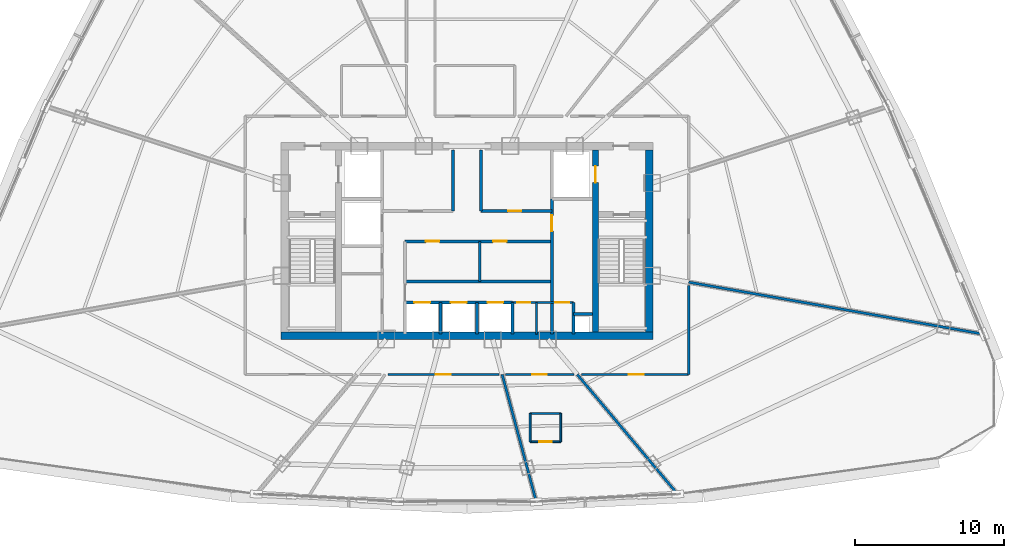
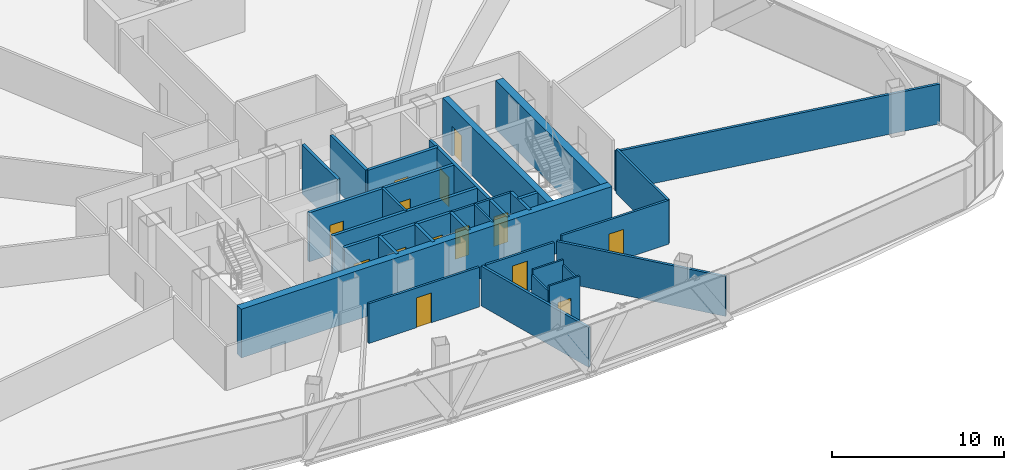
# One storey, part 31 of 37: 29 walls, 14 doors, 14 openings.
"""IFC4 building model written with IfcOpenShell, lengths in metres."""

from ifc_helpers import new_model, si_unit, direction, frame, frame_2d, origin, origin_with_axes, place, context, subcontext, project, spatial, rectangle, extrude, source, transform, mapped, material, layer, layer_set, type_object, element, fill, save


model = new_model("IFC4")

# Units and contexts
model_context = context("Model", 3, precision=1e-05, world=origin(), true_north=direction((0.0, 1.0)))
body_context = subcontext(model_context, "Body", "Model", "MODEL_VIEW")
ifc_project = project(units=[si_unit("LENGTHUNIT", "METRE"), si_unit("AREAUNIT", "SQUARE_METRE"), si_unit("VOLUMEUNIT", "CUBIC_METRE"), si_unit("PLANEANGLEUNIT", "RADIAN"), si_unit("MASSUNIT", "GRAM", prefix="KILO"), si_unit("THERMODYNAMICTEMPERATUREUNIT", "KELVIN"), si_unit("POWERUNIT", "WATT")], contexts=[model_context])

# Site, building, storey
site_placement = place(None, origin())
site = spatial("IfcSite", under=ifc_project, at=site_placement, CompositionType="ELEMENT")
building_placement = place(site_placement, origin())
building = spatial("IfcBuilding", under=site, at=building_placement, Name="Yunzhuo Pagoda Commons", CompositionType="ELEMENT")
storey_placement = place(building_placement, frame((0.0, 0.0, 240.800048828125)))
storey = spatial("IfcBuildingStorey", under=building, at=storey_placement, Name="L60", CompositionType="ELEMENT", Elevation=240.800048828125)

# Walls
ifc_material_1 = material(Name="Concrete C50", Category="concrete")
ifc_layer_1 = layer(ifc_material_1, 0.5)
ifc_layer_set_1 = layer_set([ifc_layer_1], Name="Concrete C50")
wall_type_1 = type_object("IfcWallType", Name="W-C03 Upper Core Shear Wall 500", PredefinedType="SHEAR", material=ifc_layer_set_1)
wall_1_placement = place(storey_placement, frame((35.550048828125, 27.5, 0.0), z_axis=(0.0, 0.0, 1.0), x_axis=(1.0, 0.0, 0.0)))
element("IfcWall", 1, at=wall_1_placement, inside=storey, type_object=wall_type_1, Name="L60 core shear wall S", PredefinedType="SHEAR", context=body_context, shape_type="SweptSolid", body=[
    extrude(rectangle(XDim=24.89990234375, YDim=0.5, at=frame_2d((12.449951171875, 0.0))), origin(), (0.0, 0.0, 1.0), 3.469970703125),
])
wall_2_placement = place(storey_placement, frame((60.199951171875, 27.75, 0.0), z_axis=(0.0, 0.0, 1.0), x_axis=(0.0, 1.0, 0.0)))
element("IfcWall", 2, at=wall_2_placement, inside=storey, type_object=wall_type_1, Name="L60 core shear wall E", PredefinedType="SHEAR", context=body_context, shape_type="SweptSolid", body=[
    extrude(rectangle(XDim=12.199951171875, YDim=0.5, at=frame_2d((6.10009765625, 0.0))), origin(), (0.0, 0.0, 1.0), 3.469970703125),
])
ifc_material_2 = material(Name="Gypsum plasterboard on acoustic stud")
ifc_layer_2 = layer(ifc_material_2, 0.14990234375)
ifc_layer_set_2 = layer_set([ifc_layer_2], Name="Gypsum plasterboard on acoustic stud")
wall_type_2 = type_object("IfcWallType", Name="W-COR3 High-Zone Rated Corridor Wall 150", PredefinedType="PARTITIONING", material=ifc_layer_set_2)
wall_3_placement = place(storey_placement, frame((48.85009765625, 31.1201171875, 0.0), z_axis=(0.0, 0.0, 1.0), x_axis=(0.0, 1.0, 0.0)))
element("IfcWall", 3, at=wall_3_placement, inside=storey, type_object=wall_type_2, Name="L60 interior wall IW-L60-FRMD", PredefinedType="PARTITIONING", context=body_context, shape_type="SweptSolid", body=[
    extrude(rectangle(XDim=2.699951171875, YDim=0.14990234375, at=frame_2d((1.35009765625, 0.0))), origin(), (0.0, 0.0, 1.0), 3.469970703125),
])

# Wall, openings, doors
wall_4_placement = place(storey_placement, frame((51.050048828125, 29.719970703125, 0.0), z_axis=(0.0, 0.0, 1.0), x_axis=(1.0, 0.0, 0.0)))
wall_4 = element("IfcWall", 4, at=wall_4_placement, inside=storey, type_object=wall_type_2, Name="L60 interior wall IW-L60-CSES", PredefinedType="PARTITIONING", context=body_context, shape_type="SweptSolid", body=[
    extrude(rectangle(XDim=4.070068359375, YDim=0.14990234375, at=frame_2d((2.03515625, 0.0))), origin(), (0.0, 0.0, 1.0), 3.469970703125),
])
opening_1_placement = place(wall_4_placement, frame((0.300048828125, 0.0, 0.0)))
opening_1 = element("IfcOpeningElement", 5, at=opening_1_placement, cuts=wall_4, Name="Opening D-03", PredefinedType="OPENING", context=body_context, shape_type="SweptSolid", body=[
    extrude(rectangle(XDim=0.89990234375, YDim=2.10009765625, at=frame_2d((0.449951171875, 1.050048828125))), frame((0.0, 0.0849609375, 0.0), z_axis=(0.0, -1.0, 0.0), x_axis=(1.0, 0.0, 0.0)), (0.0, 0.0, 1.0), 0.169921875),
])
opening_2_placement = place(wall_4_placement, frame((2.860107421875, 0.0, 0.0)))
opening_2 = element("IfcOpeningElement", 6, at=opening_2_placement, cuts=wall_4, Name="Opening D-11", PredefinedType="OPENING", context=body_context, shape_type="SweptSolid", body=[
    extrude(rectangle(XDim=0.93994140625, YDim=2.10009765625, at=frame_2d((0.469970703125, 1.050048828125))), frame((0.0, 0.0849609375, 0.0), z_axis=(0.0, -1.0, 0.0), x_axis=(1.0, 0.0, 0.0)), (0.0, 0.0, 1.0), 0.169921875),
])
ifc_material_3 = material(Name="Galvanized fire-resisting metal leaf")
door_type_1 = type_object("IfcDoorType", Name="D-03 Core Service Fire Door 900x2100", OperationType="NOTDEFINED", PredefinedType="DOOR", material=ifc_material_3)
shared_shape_1 = source(origin(), body_context, "Body", "SweptSolid", [
    extrude(rectangle(XDim=0.89990234375, YDim=2.10009765625, at=frame_2d((0.449951171875, 1.050048828125))), frame((0.0, 0.02490234375, 0.0), z_axis=(0.0, -1.0, 0.0), x_axis=(1.0, 0.0, 0.0)), (0.0, 0.0, 1.0), 0.050048828125),
])
door_1_placement = place(opening_1_placement, origin_with_axes())
door_1 = element("IfcDoor", 7, at=door_1_placement, inside=storey, type_object=door_type_1, Name="L60 cleaner door", OperationType="SINGLE_SWING_LEFT", OverallHeight=2.10009765625, OverallWidth=0.89990234375, PredefinedType="DOOR", context=body_context, shape_type="MappedRepresentation", body=[
    mapped(shared_shape_1, transform((0.0, 0.0, 0.0), scale=1.0)),
])
fill(opening_1, door_1)
door_type_2 = type_object("IfcDoorType", Name="D-11 Accessible Washroom Fire Door 940x2100", OperationType="NOTDEFINED", PredefinedType="DOOR", material=ifc_material_3)
shared_shape_2 = source(origin(), body_context, "Body", "SweptSolid", [
    extrude(rectangle(XDim=0.93994140625, YDim=2.10009765625, at=frame_2d((0.469970703125, 1.050048828125))), frame((0.0, 0.02490234375, 0.0), z_axis=(0.0, -1.0, 0.0), x_axis=(1.0, 0.0, 0.0)), (0.0, 0.0, 1.0), 0.050048828125),
])
door_2_placement = place(opening_2_placement, origin_with_axes())
door_2 = element("IfcDoor", 8, at=door_2_placement, inside=storey, type_object=door_type_2, Name="L60 core WC door", OperationType="SINGLE_SWING_RIGHT", OverallHeight=2.10009765625, OverallWidth=0.93994140625, PredefinedType="DOOR", context=body_context, shape_type="MappedRepresentation", body=[
    mapped(shared_shape_2, transform((0.0, 0.0, 0.0), scale=1.0)),
])
fill(opening_2, door_2)

# Wall
wall_5_placement = place(storey_placement, frame((62.85009765625, 30.858154296875, 0.0), z_axis=(0.0, 0.0, 1.0), x_axis=(0.0, -1.0, 0.0)))
element("IfcWall", 9, at=wall_5_placement, inside=storey, type_object=wall_type_2, Name="L60 interior wall IW-L60-CWL13", PredefinedType="PARTITIONING", context=body_context, shape_type="SweptSolid", body=[
    extrude(rectangle(XDim=5.958251953125, YDim=0.14990234375, at=frame_2d((2.97900390625, 0.0))), origin(), (0.0, 0.0, 1.0), 3.119873046875),
])

# Wall, opening, door
wall_6_placement = place(storey_placement, frame((62.85009765625, 24.89990234375, 0.0), z_axis=(0.0, 0.0, 1.0), x_axis=(-1.0, 0.0, 0.0)))
wall_6 = element("IfcWall", 10, at=wall_6_placement, inside=storey, type_object=wall_type_2, Name="L60 interior wall IW-L60-CWL14", PredefinedType="PARTITIONING", context=body_context, shape_type="SweptSolid", body=[
    extrude(rectangle(XDim=7.1787109375, YDim=0.14990234375, at=frame_2d((3.58935546875, 0.0))), origin(), (0.0, 0.0, 1.0), 3.119873046875),
])
opening_3_placement = place(wall_6_placement, frame((3.028076171875, 0.0, 0.0)))
opening_3 = element("IfcOpeningElement", 11, at=opening_3_placement, cuts=wall_6, Name="Opening D-08", PredefinedType="OPENING", context=body_context, shape_type="SweptSolid", body=[
    extrude(rectangle(XDim=0.97998046875, YDim=2.1201171875, at=frame_2d((0.489990234375, 1.06005859375))), frame((0.0, 0.0849609375, 0.0), z_axis=(0.0, -1.0, 0.0), x_axis=(1.0, 0.0, 0.0)), (0.0, 0.0, 1.0), 0.169921875),
])
door_type_3 = type_object("IfcDoorType", Name="D-08 High-Zone Suite Entrance Fire Door 980x2120", OperationType="NOTDEFINED", PredefinedType="DOOR", material=ifc_material_3)
shared_shape_3 = source(origin(), body_context, "Body", "SweptSolid", [
    extrude(rectangle(XDim=0.97998046875, YDim=2.1201171875, at=frame_2d((0.489990234375, 1.06005859375))), frame((0.0, 0.02490234375, 0.0), z_axis=(0.0, -1.0, 0.0), x_axis=(1.0, 0.0, 0.0)), (0.0, 0.0, 1.0), 0.050048828125),
])
door_3_placement = place(opening_3_placement, origin_with_axes())
door_3 = element("IfcDoor", 12, at=door_3_placement, inside=storey, type_object=door_type_3, Name="L60 unit 12 entrance door", OperationType="SINGLE_SWING_LEFT", OverallHeight=2.1201171875, OverallWidth=0.97998046875, PredefinedType="DOOR", context=body_context, shape_type="MappedRepresentation", body=[
    mapped(shared_shape_3, transform((0.0, 0.0, 0.0), scale=1.0)),
])
fill(opening_3, door_3)

wall_7_placement = place(storey_placement, frame((55.164306640625, 24.89990234375, 0.0), z_axis=(0.0, 0.0, 1.0), x_axis=(-1.0, 0.0, 0.0)))
wall_7 = element("IfcWall", 13, at=wall_7_placement, inside=storey, type_object=wall_type_2, Name="L60 interior wall IW-L60-CWL15", PredefinedType="PARTITIONING", context=body_context, shape_type="SweptSolid", body=[
    extrude(rectangle(XDim=4.57861328125, YDim=0.14990234375, at=frame_2d((2.289306640625, 0.0))), origin(), (0.0, 0.0, 1.0), 2.820068359375),
])
opening_4_placement = place(wall_7_placement, frame((1.818115234375, 0.0, 0.0)))
opening_4 = element("IfcOpeningElement", 14, at=opening_4_placement, cuts=wall_7, Name="Opening D-08", PredefinedType="OPENING", context=body_context, shape_type="SweptSolid", body=[
    extrude(rectangle(XDim=0.97998046875, YDim=2.1201171875, at=frame_2d((0.489990234375, 1.06005859375))), frame((0.0, 0.0849609375, 0.0), z_axis=(0.0, -1.0, 0.0), x_axis=(1.0, 0.0, 0.0)), (0.0, 0.0, 1.0), 0.169921875),
])
door_4_placement = place(opening_4_placement, origin_with_axes())
door_4 = element("IfcDoor", 15, at=door_4_placement, inside=storey, type_object=door_type_3, Name="L60 unit 11 entrance door", OperationType="SINGLE_SWING_RIGHT", OverallHeight=2.1201171875, OverallWidth=0.97998046875, PredefinedType="DOOR", context=body_context, shape_type="MappedRepresentation", body=[
    mapped(shared_shape_3, transform((0.0, 0.0, 0.0), scale=1.0)),
])
fill(opening_4, door_4)

wall_8_placement = place(storey_placement, frame((50.13818359375, 24.89990234375, 0.0), z_axis=(0.0, 0.0, 1.0), x_axis=(-1.0, 0.0, 0.0)))
wall_8 = element("IfcWall", 16, at=wall_8_placement, inside=storey, type_object=wall_type_2, Name="L60 interior wall IW-L60-CWL16", PredefinedType="PARTITIONING", context=body_context, shape_type="SweptSolid", body=[
    extrude(rectangle(XDim=7.417236328125, YDim=0.14990234375, at=frame_2d((3.70849609375, 0.0))), origin(), (0.0, 0.0, 1.0), 2.820068359375),
])
opening_5_placement = place(wall_8_placement, frame((3.233642578125, 0.0, 0.0)))
opening_5 = element("IfcOpeningElement", 17, at=opening_5_placement, cuts=wall_8, Name="Opening D-08", PredefinedType="OPENING", context=body_context, shape_type="SweptSolid", body=[
    extrude(rectangle(XDim=0.97998046875, YDim=2.1201171875, at=frame_2d((0.489990234375, 1.06005859375))), frame((0.0, 0.0849609375, 0.0), z_axis=(0.0, -1.0, 0.0), x_axis=(1.0, 0.0, 0.0)), (0.0, 0.0, 1.0), 0.169921875),
])
door_5_placement = place(opening_5_placement, origin_with_axes())
door_5 = element("IfcDoor", 18, at=door_5_placement, inside=storey, type_object=door_type_3, Name="L60 Resident Co-Living Commons Hall door", OperationType="SINGLE_SWING_LEFT", OverallHeight=2.1201171875, OverallWidth=0.97998046875, PredefinedType="DOOR", context=body_context, shape_type="MappedRepresentation", body=[
    mapped(shared_shape_3, transform((0.0, 0.0, 0.0), scale=1.0)),
])
fill(opening_5, door_5)

# Wall
ifc_layer_3 = layer(ifc_material_2, 0.1201171875)
ifc_layer_set_3 = layer_set([ifc_layer_3], Name="Gypsum plasterboard on acoustic stud")
wall_type_3 = type_object("IfcWallType", Name="W-PRT1 Suite & Bathroom Partition 120", PredefinedType="PARTITIONING", material=ifc_layer_set_3)
wall_9_placement = place(storey_placement, frame((52.64990234375, 27.60009765625, 0.0), z_axis=(0.0, 0.0, 1.0), x_axis=(0.0, 1.0, 0.0)))
element("IfcWall", 19, at=wall_9_placement, inside=storey, type_object=wall_type_3, Name="L60 interior wall IW-L60-CD2", PredefinedType="PARTITIONING", context=body_context, shape_type="SweptSolid", body=[
    extrude(rectangle(XDim=2.119873046875, YDim=0.1201171875, at=frame_2d((1.06005859375, 0.0))), origin(), (0.0, 0.0, 1.0), 3.469970703125),
])

# Wall, opening, door
wall_10_placement = place(storey_placement, frame((52.22900390625, 20.389892578125, 0.0), z_axis=(0.0, 0.0, 1.0), x_axis=(1.0, 0.0, 0.0)))
wall_10 = element("IfcWall", 20, at=wall_10_placement, inside=storey, type_object=wall_type_3, Name="L60 interior wall IW-L60-B11S", PredefinedType="PARTITIONING", context=body_context, shape_type="SweptSolid", body=[
    extrude(rectangle(XDim=2.050048828125, YDim=0.1201171875, at=frame_2d((1.02490234375, 0.0))), origin(), (0.0, 0.0, 1.0), 3.469970703125),
])
opening_6_placement = place(wall_10_placement, frame((0.60009765625, 0.0, 0.0)))
opening_6 = element("IfcOpeningElement", 21, at=opening_6_placement, cuts=wall_10, Name="Opening D-05", PredefinedType="OPENING", context=body_context, shape_type="SweptSolid", body=[
    extrude(rectangle(XDim=0.85009765625, YDim=2.10009765625, at=frame_2d((0.425048828125, 1.050048828125))), frame((0.0, 0.070068359375, 0.0), z_axis=(0.0, -1.0, 0.0), x_axis=(1.0, 0.0, 0.0)), (0.0, 0.0, 1.0), 0.14013671875),
])
ifc_material_4 = material(Name="Powder-coated aluminium and timber acoustic leaf", Category="wood")
door_type_4 = type_object("IfcDoorType", Name="D-05 En-Suite Bathroom Door 850x2100", OperationType="NOTDEFINED", PredefinedType="DOOR", material=ifc_material_4)
shared_shape_4 = source(origin(), body_context, "Body", "SweptSolid", [
    extrude(rectangle(XDim=0.85009765625, YDim=2.10009765625, at=frame_2d((0.425048828125, 1.050048828125))), frame((0.0, 0.02490234375, 0.0), z_axis=(0.0, -1.0, 0.0), x_axis=(1.0, 0.0, 0.0)), (0.0, 0.0, 1.0), 0.050048828125),
])
door_6_placement = place(opening_6_placement, frame((0.85009765625, 0.0, 0.0), z_axis=(0.0, 0.0, 1.0), x_axis=(-1.0, 0.0, 0.0)))
door_6 = element("IfcDoor", 22, at=door_6_placement, inside=storey, type_object=door_type_4, Name="L60 unit 11 bathroom door", OperationType="SINGLE_SWING_RIGHT", OverallHeight=2.10009765625, OverallWidth=0.85009765625, PredefinedType="DOOR", context=body_context, shape_type="MappedRepresentation", body=[
    mapped(shared_shape_4, transform((0.0, 0.0, 0.0), scale=1.0)),
])
fill(opening_6, door_6)

# Walls
wall_11_placement = place(storey_placement, frame((54.279052734375, 20.389892578125, 0.0), z_axis=(0.0, 0.0, 1.0), x_axis=(0.0, 1.0, 0.0)))
element("IfcWall", 23, at=wall_11_placement, inside=storey, type_object=wall_type_3, Name="L60 interior wall IW-L60-B11E", PredefinedType="PARTITIONING", context=body_context, shape_type="SweptSolid", body=[
    extrude(rectangle(XDim=1.900146484375, YDim=0.1201171875, at=frame_2d((0.9501953125, 0.0))), origin(), (0.0, 0.0, 1.0), 3.119873046875),
])
wall_12_placement = place(storey_placement, frame((54.279052734375, 22.2900390625, 0.0), z_axis=(0.0, 0.0, 1.0), x_axis=(-1.0, 0.0, 0.0)))
element("IfcWall", 24, at=wall_12_placement, inside=storey, type_object=wall_type_3, Name="L60 interior wall IW-L60-B11N", PredefinedType="PARTITIONING", context=body_context, shape_type="SweptSolid", body=[
    extrude(rectangle(XDim=2.050048828125, YDim=0.1201171875, at=frame_2d((1.02490234375, 0.0))), origin(), (0.0, 0.0, 1.0), 3.469970703125),
])
wall_13_placement = place(storey_placement, frame((52.22900390625, 22.2900390625, 0.0), z_axis=(0.0, 0.0, 1.0), x_axis=(0.0, -1.0, 0.0)))
element("IfcWall", 25, at=wall_13_placement, inside=storey, type_object=wall_type_3, Name="L60 interior wall IW-L60-B11W", PredefinedType="PARTITIONING", context=body_context, shape_type="SweptSolid", body=[
    extrude(rectangle(XDim=1.900146484375, YDim=0.1201171875, at=frame_2d((0.9501953125, 0.0))), origin(), (0.0, 0.0, 1.0), 3.119873046875),
])
ifc_layer_4 = layer(ifc_material_2, 0.169921875)
ifc_layer_set_4 = layer_set([ifc_layer_4], Name="Gypsum plasterboard on acoustic stud")
wall_type_4 = type_object("IfcWallType", Name="W-PRT4 High-Zone Demising Wall 170", PredefinedType="PARTITIONING", material=ifc_layer_set_4)
wall_14_placement = place(storey_placement, frame((50.35791015625, 24.89990234375, 0.0), z_axis=(0.0, 0.0, 1.0), x_axis=(0.258813459388, -0.965927322959, 0.0)))
element("IfcWall", 26, at=wall_14_placement, inside=storey, type_object=wall_type_4, Name="L60 interior wall IW-L60-RAD10", PredefinedType="PARTITIONING", context=body_context, shape_type="SweptSolid", body=[
    extrude(rectangle(XDim=8.832275390625, YDim=0.169921875, at=frame_2d((4.416015625, 0.0))), origin(), (0.0, 0.0, 1.0), 2.820068359375),
])
wall_15_placement = place(storey_placement, frame((55.384033203125, 24.89990234375, 0.0), z_axis=(0.0, 0.0, 1.0), x_axis=(0.642788120563, -0.766044014443, 0.0)))
element("IfcWall", 27, at=wall_15_placement, inside=storey, type_object=wall_type_4, Name="L60 interior wall IW-L60-RAD11", PredefinedType="PARTITIONING", context=body_context, shape_type="SweptSolid", body=[
    extrude(rectangle(XDim=10.46240234375, YDim=0.169921875, at=frame_2d((5.231201171875, 0.0))), origin(), (0.0, 0.0, 1.0), 2.820068359375),
])
wall_16_placement = place(storey_placement, frame((62.85009765625, 31.08154296875, 0.0), z_axis=(0.0, 0.0, 1.0), x_axis=(0.984808421785, -0.173644384824, 0.0)))
element("IfcWall", 28, at=wall_16_placement, inside=storey, type_object=wall_type_4, Name="L60 interior wall IW-L60-RAD12", PredefinedType="PARTITIONING", context=body_context, shape_type="SweptSolid", body=[
    extrude(rectangle(XDim=20.05908203125, YDim=0.169921875, at=frame_2d((10.029541015625, 0.0))), origin(), (0.0, 0.0, 1.0), 2.820068359375),
])

# Wall, opening, door
ifc_material_5 = material(Name="Concrete C60", Category="concrete")
ifc_layer_5 = layer(ifc_material_5, 0.39990234375)
ifc_layer_set_5 = layer_set([ifc_layer_5], Name="Concrete C60")
wall_type_5 = type_object("IfcWallType", Name="W-S01 Internal Core Shear Web 400", PredefinedType="SHEAR", material=ifc_layer_set_5)
wall_17_placement = place(storey_placement, frame((56.60009765625, 27.75, 0.0), z_axis=(0.0, 0.0, 1.0), x_axis=(0.0, 1.0, 0.0)))
wall_17 = element("IfcWall", 29, at=wall_17_placement, inside=storey, type_object=wall_type_5, Name="L60 core shear wall WEBE", PredefinedType="SHEAR", context=body_context, shape_type="SweptSolid", body=[
    extrude(rectangle(XDim=12.199951171875, YDim=0.39990234375, at=frame_2d((6.10009765625, 0.0))), origin(), (0.0, 0.0, 1.0), 3.469970703125),
])
opening_7_placement = place(wall_17_placement, frame((10.0, 0.0, 0.0)))
opening_7 = element("IfcOpeningElement", 30, at=opening_7_placement, cuts=wall_17, Name="Opening LD-01", PredefinedType="OPENING", context=body_context, shape_type="SweptSolid", body=[
    extrude(rectangle(XDim=1.10009765625, YDim=2.10009765625, at=frame_2d((0.550048828125, 1.050048828125))), frame((0.0, 0.2099609375, 0.0), z_axis=(0.0, -1.0, 0.0), x_axis=(1.0, 0.0, 0.0)), (0.0, 0.0, 1.0), 0.419921875),
])
door_type_5 = type_object("IfcDoorType", Name="LD-01 Firefighting Lift Landing Door 1100x2100", OperationType="DOUBLE_DOOR_SLIDING", PredefinedType="DOOR", material=ifc_material_3)
shared_shape_5 = source(origin(), body_context, "Body", "SweptSolid", [
    extrude(rectangle(XDim=1.10009765625, YDim=2.10009765625, at=frame_2d((0.550048828125, 1.050048828125))), frame((0.0, 0.02490234375, 0.0), z_axis=(0.0, -1.0, 0.0), x_axis=(1.0, 0.0, 0.0)), (0.0, 0.0, 1.0), 0.050048828125),
])
door_7_placement = place(opening_7_placement, origin_with_axes())
door_7 = element("IfcDoor", 31, at=door_7_placement, inside=storey, type_object=door_type_5, Name="L60 Firefighting lift FL-2 landing door", OperationType="DOUBLE_DOOR_SLIDING", OverallHeight=2.10009765625, OverallWidth=1.10009765625, PredefinedType="DOOR", context=body_context, shape_type="MappedRepresentation", body=[
    mapped(shared_shape_5, transform((0.0, 0.0, 0.0), scale=1.0)),
])
fill(opening_7, door_7)

ifc_material_6 = material(Name="Concrete C40", Category="concrete")
ifc_layer_6 = layer(ifc_material_6, 0.199951171875)
ifc_layer_set_6 = layer_set([ifc_layer_6], Name="Concrete C40")
wall_type_6 = type_object("IfcWallType", Name="W-SHF Shaft & Stair Enclosure Wall 200", PredefinedType="SOLIDWALL", material=ifc_layer_set_6)
wall_18_placement = place(storey_placement, frame((48.949951171875, 35.85009765625, 0.0), z_axis=(0.0, 0.0, 1.0), x_axis=(1.0, 0.0, 0.0)))
wall_18 = element("IfcWall", 32, at=wall_18_placement, inside=storey, type_object=wall_type_6, Name="L60 interior wall IW-L60-LBNE", PredefinedType="SOLIDWALL", context=body_context, shape_type="SweptSolid", body=[
    extrude(rectangle(XDim=4.72998046875, YDim=0.199951171875, at=frame_2d((2.364990234375, 0.0))), origin(), (0.0, 0.0, 1.0), 3.469970703125),
])
opening_8_placement = place(wall_18_placement, frame((1.800048828125, 0.0, 0.0)))
opening_8 = element("IfcOpeningElement", 33, at=opening_8_placement, cuts=wall_18, Name="Opening D-03", PredefinedType="OPENING", context=body_context, shape_type="SweptSolid", body=[
    extrude(rectangle(XDim=0.89990234375, YDim=2.10009765625, at=frame_2d((0.449951171875, 1.050048828125))), frame((0.0, 0.10986328125, 0.0), z_axis=(0.0, -1.0, 0.0), x_axis=(1.0, 0.0, 0.0)), (0.0, 0.0, 1.0), 0.219970703125),
])
door_8_placement = place(opening_8_placement, frame((0.89990234375, 0.0, 0.0), z_axis=(0.0, 0.0, 1.0), x_axis=(-1.0, 0.0, 0.0)))
door_8 = element("IfcDoor", 34, at=door_8_placement, inside=storey, type_object=door_type_1, Name="L60 core east store door", OperationType="SINGLE_SWING_RIGHT", OverallHeight=2.10009765625, OverallWidth=0.89990234375, PredefinedType="DOOR", context=body_context, shape_type="MappedRepresentation", body=[
    mapped(shared_shape_1, transform((0.0, 0.0, 0.0), scale=1.0)),
])
fill(opening_8, door_8)

# Walls
for number, where, z_axis, x_axis, name in (
    (35, (47.050048828125, 35.85009765625, 0.0), (0.0, 0.0, 1.0), (0.0, 1.0, 0.0), "L60 interior wall IW-L60-THRW"),
    (36, (48.949951171875, 35.85009765625, 0.0), (0.0, 0.0, 1.0), (0.0, 1.0, 0.0), "L60 interior wall IW-L60-THRE"),
):
    element("IfcWall", number, at=place(storey_placement, frame(where, z_axis=z_axis, x_axis=x_axis)), inside=storey, type_object=wall_type_6, Name=name, PredefinedType="SOLIDWALL", context=body_context, shape_type="SweptSolid", body=[
        extrude(rectangle(XDim=4.099853515625, YDim=0.199951171875, at=frame_2d((2.0498046875, 0.0))), origin(), (0.0, 0.0, 1.0), 3.469970703125),
    ])

# Wall, openings, doors
wall_19_placement = place(storey_placement, frame((43.85009765625, 33.820068359375, 0.0), z_axis=(0.0, 0.0, 1.0), x_axis=(1.0, 0.0, 0.0)))
wall_19 = element("IfcWall", 37, at=wall_19_placement, inside=storey, type_object=wall_type_6, Name="L60 interior wall IW-L60-MLBS", PredefinedType="SOLIDWALL", context=body_context, shape_type="SweptSolid", body=[
    extrude(rectangle(XDim=9.829833984375, YDim=0.199951171875, at=frame_2d((4.9150390625, 0.0))), origin(), (0.0, 0.0, 1.0), 3.469970703125),
])
opening_9_placement = place(wall_19_placement, frame((1.39990234375, 0.0, 0.0)))
opening_9 = element("IfcOpeningElement", 38, at=opening_9_placement, cuts=wall_19, Name="Opening D-03", PredefinedType="OPENING", context=body_context, shape_type="SweptSolid", body=[
    extrude(rectangle(XDim=0.89990234375, YDim=2.10009765625, at=frame_2d((0.449951171875, 1.050048828125))), frame((0.0, 0.10986328125, 0.0), z_axis=(0.0, -1.0, 0.0), x_axis=(1.0, 0.0, 0.0)), (0.0, 0.0, 1.0), 0.219970703125),
])
opening_10_placement = place(wall_19_placement, frame((5.89990234375, 0.0, 0.0)))
opening_10 = element("IfcOpeningElement", 39, at=opening_10_placement, cuts=wall_19, Name="Opening D-03", PredefinedType="OPENING", context=body_context, shape_type="SweptSolid", body=[
    extrude(rectangle(XDim=0.89990234375, YDim=2.10009765625, at=frame_2d((0.449951171875, 1.050048828125))), frame((0.0, 0.10986328125, 0.0), z_axis=(0.0, -1.0, 0.0), x_axis=(1.0, 0.0, 0.0)), (0.0, 0.0, 1.0), 0.219970703125),
])
door_9_placement = place(opening_9_placement, origin_with_axes())
door_9 = element("IfcDoor", 40, at=door_9_placement, inside=storey, type_object=door_type_1, Name="L60 core mid-west store door", OperationType="SINGLE_SWING_LEFT", OverallHeight=2.10009765625, OverallWidth=0.89990234375, PredefinedType="DOOR", context=body_context, shape_type="MappedRepresentation", body=[
    mapped(shared_shape_1, transform((0.0, 0.0, 0.0), scale=1.0)),
])
fill(opening_9, door_9)
door_10_placement = place(opening_10_placement, origin_with_axes())
door_10 = element("IfcDoor", 41, at=door_10_placement, inside=storey, type_object=door_type_1, Name="L60 core mid-east store door", OperationType="SINGLE_SWING_RIGHT", OverallHeight=2.10009765625, OverallWidth=0.89990234375, PredefinedType="DOOR", context=body_context, shape_type="MappedRepresentation", body=[
    mapped(shared_shape_1, transform((0.0, 0.0, 0.0), scale=1.0)),
])
fill(opening_10, door_10)

# Wall, opening, door
wall_20_placement = place(storey_placement, frame((53.679931640625, 27.60009765625, 0.0), z_axis=(0.0, 0.0, 1.0), x_axis=(0.0, 1.0, 0.0)))
wall_20 = element("IfcWall", 42, at=wall_20_placement, inside=storey, type_object=wall_type_6, Name="L60 interior wall IW-L60-PLME", PredefinedType="SOLIDWALL", context=body_context, shape_type="SweptSolid", body=[
    extrude(rectangle(XDim=9.0498046875, YDim=0.199951171875, at=frame_2d((4.52490234375, 0.0))), origin(), (0.0, 0.0, 1.0), 3.469970703125),
])
opening_11_placement = place(wall_20_placement, frame((6.89990234375, 0.0, 0.0)))
opening_11 = element("IfcOpeningElement", 43, at=opening_11_placement, cuts=wall_20, Name="Opening D-02", PredefinedType="OPENING", context=body_context, shape_type="SweptSolid", body=[
    extrude(rectangle(XDim=1.050048828125, YDim=2.10009765625, at=frame_2d((0.52490234375, 1.050048828125))), frame((0.0, 0.10986328125, 0.0), z_axis=(0.0, -1.0, 0.0), x_axis=(1.0, 0.0, 0.0)), (0.0, 0.0, 1.0), 0.219970703125),
])
door_type_6 = type_object("IfcDoorType", Name="D-02 Firefighting Lobby & Refuge Fire Door 1050x2100", OperationType="NOTDEFINED", PredefinedType="DOOR", material=ifc_material_3)
shared_shape_6 = source(origin(), body_context, "Body", "SweptSolid", [
    extrude(rectangle(XDim=1.050048828125, YDim=2.10009765625, at=frame_2d((0.52490234375, 1.050048828125))), frame((0.0, 0.02490234375, 0.0), z_axis=(0.0, -1.0, 0.0), x_axis=(1.0, 0.0, 0.0)), (0.0, 0.0, 1.0), 0.050048828125),
])
door_11_placement = place(opening_11_placement, origin_with_axes())
door_11 = element("IfcDoor", 44, at=door_11_placement, inside=storey, type_object=door_type_6, Name="L60 High-bank lift hall door", OperationType="SINGLE_SWING_RIGHT", OverallHeight=2.10009765625, OverallWidth=1.050048828125, PredefinedType="DOOR", context=body_context, shape_type="MappedRepresentation", body=[
    mapped(shared_shape_6, transform((0.0, 0.0, 0.0), scale=1.0)),
])
fill(opening_11, door_11)

# Wall, openings, doors
wall_21_placement = place(storey_placement, frame((43.85009765625, 29.719970703125, 0.0), z_axis=(0.0, 0.0, 1.0), x_axis=(1.0, 0.0, 0.0)))
wall_21 = element("IfcWall", 45, at=wall_21_placement, inside=storey, type_object=wall_type_6, Name="L60 interior wall IW-L60-PLHN", PredefinedType="SOLIDWALL", context=body_context, shape_type="SweptSolid", body=[
    extrude(rectangle(XDim=7.199951171875, YDim=0.199951171875, at=frame_2d((3.60009765625, 0.0))), origin(), (0.0, 0.0, 1.0), 3.469970703125),
])
opening_12_placement = place(wall_21_placement, frame((0.625, 0.0, 0.0)))
opening_12 = element("IfcOpeningElement", 46, at=opening_12_placement, cuts=wall_21, Name="Opening LD-02", PredefinedType="OPENING", context=body_context, shape_type="SweptSolid", body=[
    extrude(rectangle(XDim=1.050048828125, YDim=2.10009765625, at=frame_2d((0.52490234375, 1.050048828125))), frame((0.0, 0.10986328125, 0.0), z_axis=(0.0, -1.0, 0.0), x_axis=(1.0, 0.0, 0.0)), (0.0, 0.0, 1.0), 0.219970703125),
])
opening_13_placement = place(wall_21_placement, frame((3.074951171875, 0.0, 0.0)))
opening_13 = element("IfcOpeningElement", 47, at=opening_13_placement, cuts=wall_21, Name="Opening LD-02", PredefinedType="OPENING", context=body_context, shape_type="SweptSolid", body=[
    extrude(rectangle(XDim=1.050048828125, YDim=2.10009765625, at=frame_2d((0.52490234375, 1.050048828125))), frame((0.0, 0.10986328125, 0.0), z_axis=(0.0, -1.0, 0.0), x_axis=(1.0, 0.0, 0.0)), (0.0, 0.0, 1.0), 0.219970703125),
])
opening_14_placement = place(wall_21_placement, frame((5.52490234375, 0.0, 0.0)))
opening_14 = element("IfcOpeningElement", 48, at=opening_14_placement, cuts=wall_21, Name="Opening LD-02", PredefinedType="OPENING", context=body_context, shape_type="SweptSolid", body=[
    extrude(rectangle(XDim=1.050048828125, YDim=2.10009765625, at=frame_2d((0.52490234375, 1.050048828125))), frame((0.0, 0.10986328125, 0.0), z_axis=(0.0, -1.0, 0.0), x_axis=(1.0, 0.0, 0.0)), (0.0, 0.0, 1.0), 0.219970703125),
])
door_type_7 = type_object("IfcDoorType", Name="LD-02 Passenger Lift Landing Door 1050x2100", OperationType="DOUBLE_DOOR_SLIDING", PredefinedType="DOOR", material=ifc_material_3)
door_12_placement = place(opening_12_placement, origin_with_axes())
door_12 = element("IfcDoor", 49, at=door_12_placement, inside=storey, type_object=door_type_7, Name="L60 Passenger lift PL-H1 landing door", OperationType="DOUBLE_DOOR_SLIDING", OverallHeight=2.10009765625, OverallWidth=1.050048828125, PredefinedType="DOOR", context=body_context, shape_type="MappedRepresentation", body=[
    mapped(shared_shape_6, transform((0.0, 0.0, 0.0), scale=1.0)),
])
fill(opening_12, door_12)
door_13_placement = place(opening_13_placement, origin_with_axes())
door_13 = element("IfcDoor", 50, at=door_13_placement, inside=storey, type_object=door_type_7, Name="L60 Passenger lift PL-H2 landing door", OperationType="DOUBLE_DOOR_SLIDING", OverallHeight=2.10009765625, OverallWidth=1.050048828125, PredefinedType="DOOR", context=body_context, shape_type="MappedRepresentation", body=[
    mapped(shared_shape_6, transform((0.0, 0.0, 0.0), scale=1.0)),
])
fill(opening_13, door_13)
door_14_placement = place(opening_14_placement, origin_with_axes())
door_14 = element("IfcDoor", 51, at=door_14_placement, inside=storey, type_object=door_type_7, Name="L60 Passenger lift PL-H3 landing door", OperationType="DOUBLE_DOOR_SLIDING", OverallHeight=2.10009765625, OverallWidth=1.050048828125, PredefinedType="DOOR", context=body_context, shape_type="MappedRepresentation", body=[
    mapped(shared_shape_6, transform((0.0, 0.0, 0.0), scale=1.0)),
])
fill(opening_14, door_14)

# Walls
wall_22_placement = place(storey_placement, frame((51.050048828125, 27.60009765625, 0.0), z_axis=(0.0, 0.0, 1.0), x_axis=(0.0, 1.0, 0.0)))
element("IfcWall", 52, at=wall_22_placement, inside=storey, type_object=wall_type_6, Name="L60 interior wall IW-L60-PLHE", PredefinedType="SOLIDWALL", context=body_context, shape_type="SweptSolid", body=[
    extrude(rectangle(XDim=2.119873046875, YDim=0.199951171875, at=frame_2d((1.06005859375, 0.0))), origin(), (0.0, 0.0, 1.0), 3.469970703125),
])
wall_23_placement = place(storey_placement, frame((43.85009765625, 31.1201171875, 0.0), z_axis=(0.0, 0.0, 1.0), x_axis=(1.0, 0.0, 0.0)))
element("IfcWall", 53, at=wall_23_placement, inside=storey, type_object=wall_type_6, Name="L60 interior wall IW-L60-PLMS2", PredefinedType="SOLIDWALL", context=body_context, shape_type="SweptSolid", body=[
    extrude(rectangle(XDim=9.829833984375, YDim=0.199951171875, at=frame_2d((4.9150390625, 0.0))), origin(), (0.0, 0.0, 1.0), 3.469970703125),
])
for number, where, z_axis, x_axis, name in (
    (54, (46.22509765625, 27.60009765625, 0.0), (0.0, 0.0, 1.0), (0.0, 1.0, 0.0), "L60 interior wall IW-L60-PLHD1"),
    (55, (48.675048828125, 27.60009765625, 0.0), (0.0, 0.0, 1.0), (0.0, 1.0, 0.0), "L60 interior wall IW-L60-PLHD2"),
    (56, (55.1201171875, 27.60009765625, 0.0), (0.0, 0.0, 1.0), (0.0, 1.0, 0.0), "L60 interior wall IW-L60-RSHFW"),
):
    element("IfcWall", number, at=place(storey_placement, frame(where, z_axis=z_axis, x_axis=x_axis)), inside=storey, type_object=wall_type_6, Name=name, PredefinedType="SOLIDWALL", context=body_context, shape_type="SweptSolid", body=[
        extrude(rectangle(XDim=2.119873046875, YDim=0.199951171875, at=frame_2d((1.06005859375, 0.0))), origin(), (0.0, 0.0, 1.0), 3.469970703125),
    ])
wall_24_placement = place(storey_placement, frame((55.1201171875, 28.949951171875, 0.0), z_axis=(0.0, 0.0, 1.0), x_axis=(1.0, 0.0, 0.0)))
element("IfcWall", 57, at=wall_24_placement, inside=storey, type_object=wall_type_6, Name="L60 interior wall IW-L60-RSHFN", PredefinedType="SOLIDWALL", context=body_context, shape_type="SweptSolid", body=[
    extrude(rectangle(XDim=1.27978515625, YDim=0.199951171875, at=frame_2d((0.639892578125, 0.0))), origin(), (0.0, 0.0, 1.0), 3.469970703125),
])

save(model, "model.ifc")
